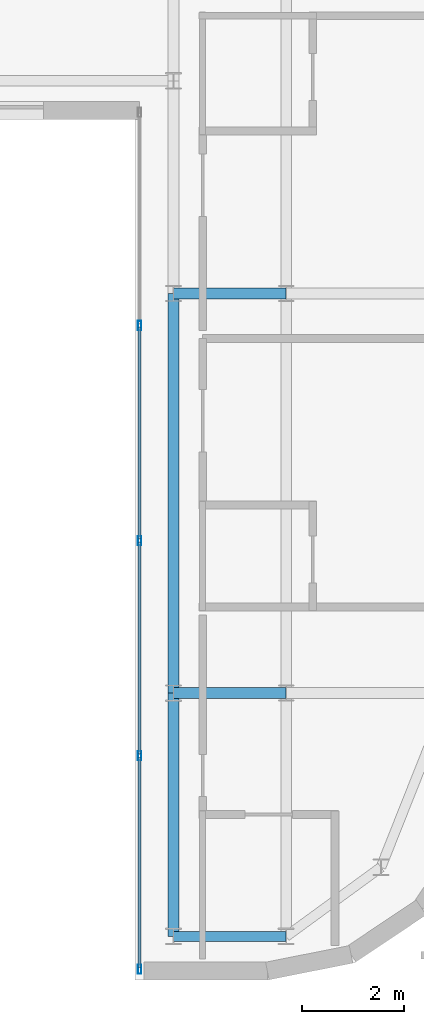
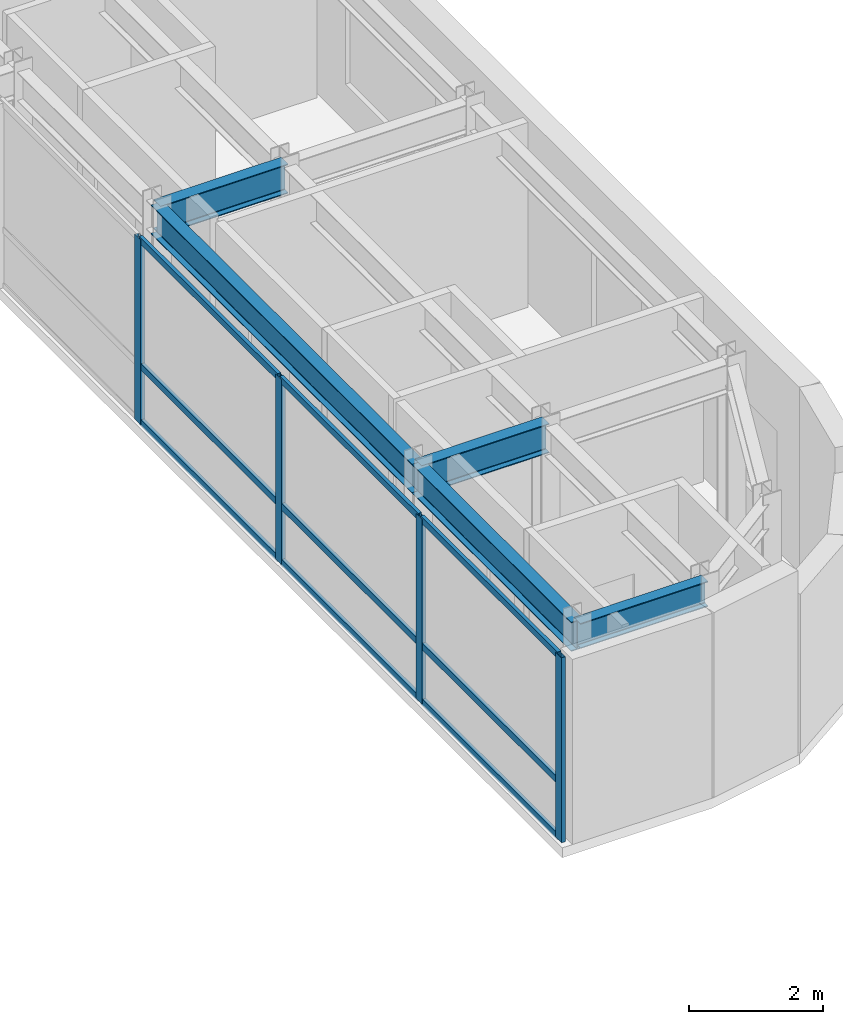
# One storey, part 7 of 18: 13 members, 5 beams, 1 element without a shape of its own.
"""IFC4 building model written with IfcOpenShell, lengths in metres."""

from ifc_helpers import new_model, si_unit, direction, frame, origin, origin_2d, place, context, subcontext, project, spatial, hollow_rectangle, i_section, extrude, source, transform, mapped, material, layer, layer_set, material_profile, profile_set, type_object, type_shapes, element, aggregate, save


model = new_model("IFC4")

# Units and contexts
model_context = context("Model", 3, precision=1e-05, world=origin(), true_north=direction((0.0, 1.0)))
body_context = subcontext(model_context, "Body", "Model", "MODEL_VIEW")
ifc_project = project(units=[si_unit("LENGTHUNIT", "METRE"), si_unit("AREAUNIT", "SQUARE_METRE"), si_unit("VOLUMEUNIT", "CUBIC_METRE"), si_unit("PLANEANGLEUNIT", "RADIAN"), si_unit("MASSUNIT", "GRAM", prefix="KILO")], contexts=[model_context])

# Site, building, storey
site_placement = place(None, origin())
site = spatial("IfcSite", under=ifc_project, at=site_placement, CompositionType="ELEMENT")
building_placement = place(site_placement, origin())
building = spatial("IfcBuilding", under=site, at=building_placement, Name="Tolvann Quenvar Hotel", CompositionType="ELEMENT")
storey_placement = place(building_placement, frame((0.0, 0.0, 259.39990234375)))
storey = spatial("IfcBuildingStorey", under=building, at=storey_placement, Name="L69", CompositionType="ELEMENT", Elevation=259.39990234375)

# Beams
ifc_material_1 = material(Name="Steel Grade 350", Category="steel")
ifc_material_profile_1 = material_profile(ifc_material_1, i_section(OverallWidth=0.208984375, OverallDepth=0.532958984375, WebThickness=0.01025390625, FlangeThickness=0.015625, FilletRadius=0.013916015625, at=origin_2d()), Name="530UB92")
ifc_profile_set_1 = profile_set([ifc_material_profile_1], Name="Steel Grade 350")
beam_type_1 = type_object("IfcBeamType", Name="BM_GIRD_530UB92", PredefinedType="BEAM", material=ifc_profile_set_1)
shared_shape_1 = source(origin(), body_context, "Body", "SweptSolid", [
    extrude(i_section(OverallWidth=0.208984375, OverallDepth=0.532958984375, WebThickness=0.01025390625, FlangeThickness=0.015625, FilletRadius=0.013916015625, at=origin_2d()), origin(), (0.0, 0.0, 1.0), 7.800048828125),
])
beam_1_placement = place(storey_placement, frame((32.75, 8.199951171875, 3.103515625), z_axis=(0.0, 1.0, 0.0), x_axis=(-1.0, 0.0, 0.0)))
element("IfcBeam", 1, at=beam_1_placement, inside=storey, type_object=beam_type_1, Name="BM-L69-NS-FP3-FP4", PredefinedType="BEAM", context=body_context, shape_type="MappedRepresentation", body=[
    mapped(shared_shape_1, transform((0.0, 0.0, 0.0), x_axis=(1.0, 0.0, 0.0), y_axis=(0.0, 1.0, 0.0), z_axis=(0.0, 0.0, 1.0), scale=1.0)),
])
shared_shape_2 = source(origin(), body_context, "Body", "SweptSolid", [
    extrude(i_section(OverallWidth=0.208984375, OverallDepth=0.532958984375, WebThickness=0.01025390625, FlangeThickness=0.015625, FilletRadius=0.013916015625, at=origin_2d()), origin(), (0.0, 0.0, 1.0), 4.75),
])
beam_2_placement = place(storey_placement, frame((32.75, 3.449951171875, 3.103515625), z_axis=(0.0, 1.0, 0.0), x_axis=(-1.0, 0.0, 0.0)))
element("IfcBeam", 2, at=beam_2_placement, inside=storey, type_object=beam_type_1, Name="BM-L69-NS-FP2-FP3", PredefinedType="BEAM", context=body_context, shape_type="MappedRepresentation", body=[
    mapped(shared_shape_2, transform((0.0, 0.0, 0.0), x_axis=(1.0, 0.0, 0.0), y_axis=(0.0, 1.0, 0.0), z_axis=(0.0, 0.0, 1.0), scale=1.0)),
])
ifc_material_profile_2 = material_profile(ifc_material_1, i_section(OverallWidth=0.19091796875, OverallDepth=0.4599609375, WebThickness=0.010009765625, FlangeThickness=0.01611328125, FilletRadius=0.011474609375, at=origin_2d()), Name="460UB82")
ifc_profile_set_2 = profile_set([ifc_material_profile_2], Name="Steel Grade 350")
beam_type_2 = type_object("IfcBeamType", Name="BM_SPAND_460UB82", PredefinedType="SPANDREL", material=ifc_profile_set_2)
shared_shape_3 = source(origin(), body_context, "Body", "SweptSolid", [
    extrude(i_section(OverallWidth=0.19091796875, OverallDepth=0.4599609375, WebThickness=0.010009765625, FlangeThickness=0.01611328125, FilletRadius=0.011474609375, at=origin_2d()), origin(), (0.0, 0.0, 1.0), 2.199951171875),
])
type_shapes(beam_type_2, [shared_shape_3])
beam_3_placement = place(storey_placement, frame((32.75, 3.449951171875, 3.14013671875), z_axis=(1.0, 0.0, 0.0), x_axis=(0.0, 1.0, 0.0)))
element("IfcBeam", 3, at=beam_3_placement, inside=storey, type_object=beam_type_2, Name="BM-L69-EW-2-FP2-F2", PredefinedType="SPANDREL", context=body_context, shape_type="MappedRepresentation", body=[
    mapped(shared_shape_3, transform((0.0, 0.0, 0.0), x_axis=(1.0, 0.0, 0.0), y_axis=(0.0, 1.0, 0.0), z_axis=(0.0, 0.0, 1.0), scale=1.0)),
])
shared_shape_4 = source(origin(), body_context, "Body", "SweptSolid", [
    extrude(i_section(OverallWidth=0.208984375, OverallDepth=0.532958984375, WebThickness=0.01025390625, FlangeThickness=0.015625, FilletRadius=0.013916015625, at=origin_2d()), origin(), (0.0, 0.0, 1.0), 2.199951171875),
])
type_shapes(beam_type_1, [shared_shape_1, shared_shape_2, shared_shape_4])
for number, where, z_axis, x_axis, name in (
    (4, (32.75, 8.199951171875, 3.103515625), (1.0, 0.0, 0.0), (0.0, 1.0, 0.0), "BM-L69-EW-3-FP3-F3"),
    (5, (32.75, 16.0, 3.103515625), (1.0, 0.0, 0.0), (0.0, 1.0, 0.0), "BM-L69-EW-4-FP4-F4"),
):
    element("IfcBeam", number, at=place(storey_placement, frame(where, z_axis=z_axis, x_axis=x_axis)), inside=storey, type_object=beam_type_1, Name=name, PredefinedType="BEAM", context=body_context, shape_type="MappedRepresentation", body=[
        mapped(shared_shape_4, transform((0.0, 0.0, 0.0), x_axis=(1.0, 0.0, 0.0), y_axis=(0.0, 1.0, 0.0), z_axis=(0.0, 0.0, 1.0), scale=1.0)),
    ])

# Curtain wall, members
ifc_material_2 = material(Name="Thermally broken anodised architectural aluminium 6063-T6 and laminated low-E glass", Category="aluminium")
ifc_layer = layer(ifc_material_2, 0.179931640625)
ifc_layer_set = layer_set([ifc_layer], Name="Thermally broken anodised architectural aluminium 6063-T6 and laminated low-E glass")
curtain_wall_type = type_object("IfcCurtainWallType", Name="CW_SYS_PORTAL_05", PredefinedType="USERDEFINED", material=ifc_layer_set)
curtain_wall_placement = place(storey_placement, origin())
curtain_wall = element("IfcCurtainWall", 6, at=curtain_wall_placement, inside=storey, type_object=curtain_wall_type, Name="Curtain Wall CW-PORTAL-05 (CWR-L69-E07)", ObjectType="UNITISED CURTAIN WALL", PredefinedType="USERDEFINED")
ifc_material_3 = material(Name="Anodised architectural aluminium 6063-T6 framing", Category="aluminium")
ifc_material_profile_3 = material_profile(ifc_material_3, hollow_rectangle(XDim=0.070068359375, YDim=0.179931640625, WallThickness=0.00390625, at=origin_2d()), Name="180x70x4RHS")
ifc_profile_set_3 = profile_set([ifc_material_profile_3], Name="Anodised architectural aluminium 6063-T6 framing")
member_type_1 = type_object("IfcMemberType", Name="CW_MULL_180x70", PredefinedType="MULLION", material=ifc_profile_set_3)
shared_shape_5 = source(origin(), body_context, "Body", "SweptSolid", [
    extrude(hollow_rectangle(XDim=0.070068359375, YDim=0.179931640625, WallThickness=0.00390625, at=origin_2d()), origin(), (0.0, 0.0, 1.0), 3.3701171875),
])
type_shapes(member_type_1, [shared_shape_5])
member_1_placement = place(storey_placement, frame((32.090087890625, 15.375, 0.0), z_axis=(0.0, 0.0, 1.0), x_axis=(1.0, 0.0, 0.0)))
member_1 = element("IfcMember", 7, at=member_1_placement, type_object=member_type_1, Name="CW-PORTAL-05 mullion 2", PredefinedType="MULLION", context=body_context, shape_type="MappedRepresentation", body=[
    mapped(shared_shape_5, transform((0.0, 0.0, 0.0), x_axis=(1.0, 0.0, 0.0), y_axis=(0.0, 1.0, 0.0), z_axis=(0.0, 0.0, 1.0), scale=1.0)),
])
member_2_placement = place(storey_placement, frame((32.090087890625, 11.175048828125, 0.0), z_axis=(0.0, 0.0, 1.0), x_axis=(1.0, 0.0, 0.0)))
member_2 = element("IfcMember", 8, at=member_2_placement, type_object=member_type_1, Name="CW-PORTAL-05 mullion 3", PredefinedType="MULLION", context=body_context, shape_type="MappedRepresentation", body=[
    mapped(shared_shape_5, transform((0.0, 0.0, 0.0), x_axis=(1.0, 0.0, 0.0), y_axis=(0.0, 1.0, 0.0), z_axis=(0.0, 0.0, 1.0), scale=1.0)),
])
member_3_placement = place(storey_placement, frame((32.090087890625, 6.97509765625, 0.0), z_axis=(0.0, 0.0, 1.0), x_axis=(1.0, 0.0, 0.0)))
member_3 = element("IfcMember", 9, at=member_3_placement, type_object=member_type_1, Name="CW-PORTAL-05 mullion 4", PredefinedType="MULLION", context=body_context, shape_type="MappedRepresentation", body=[
    mapped(shared_shape_5, transform((0.0, 0.0, 0.0), x_axis=(1.0, 0.0, 0.0), y_axis=(0.0, 1.0, 0.0), z_axis=(0.0, 0.0, 1.0), scale=1.0)),
])
member_4_placement = place(storey_placement, frame((32.090087890625, 2.81005859375, 0.0), z_axis=(0.0, 0.0, 1.0), x_axis=(1.0, 0.0, 0.0)))
member_4 = element("IfcMember", 10, at=member_4_placement, type_object=member_type_1, Name="CW-PORTAL-05 mullion 5", PredefinedType="MULLION", context=body_context, shape_type="MappedRepresentation", body=[
    mapped(shared_shape_5, transform((0.0, 0.0, 0.0), x_axis=(1.0, 0.0, 0.0), y_axis=(0.0, 1.0, 0.0), z_axis=(0.0, 0.0, 1.0), scale=1.0)),
])
ifc_material_profile_4 = material_profile(ifc_material_3, hollow_rectangle(XDim=0.06005859375, YDim=0.1201171875, WallThickness=0.00341796875, at=origin_2d()), Name="120x60x3.5RHS")
ifc_profile_set_4 = profile_set([ifc_material_profile_4], Name="Anodised architectural aluminium 6063-T6 framing")
member_type_2 = type_object("IfcMemberType", Name="CW_TRAN_120x60", PredefinedType="USERDEFINED", material=ifc_profile_set_4)
shared_shape_6 = source(origin(), body_context, "Body", "SweptSolid", [
    extrude(hollow_rectangle(XDim=0.06005859375, YDim=0.1201171875, WallThickness=0.00341796875, at=origin_2d()), origin(), (0.0, 0.0, 1.0), 4.094970703125),
])
member_5_placement = place(storey_placement, frame((32.090087890625, 6.93994140625, 0.030029296875), z_axis=(0.0, -1.0, 0.0), x_axis=(1.0, 0.0, 0.0)))
member_5 = element("IfcMember", 11, at=member_5_placement, type_object=member_type_2, Name="CW-PORTAL-05 transom 4.1", ObjectType="TRANSOM", PredefinedType="USERDEFINED", context=body_context, shape_type="MappedRepresentation", body=[
    mapped(shared_shape_6, transform((0.0, 0.0, 0.0), x_axis=(1.0, 0.0, 0.0), y_axis=(0.0, 1.0, 0.0), z_axis=(0.0, 0.0, 1.0), scale=1.0)),
])
member_6_placement = place(storey_placement, frame((32.090087890625, 6.93994140625, 1.050048828125), z_axis=(0.0, -1.0, 0.0), x_axis=(1.0, 0.0, 0.0)))
member_6 = element("IfcMember", 12, at=member_6_placement, type_object=member_type_2, Name="CW-PORTAL-05 transom 4.2", ObjectType="TRANSOM", PredefinedType="USERDEFINED", context=body_context, shape_type="MappedRepresentation", body=[
    mapped(shared_shape_6, transform((0.0, 0.0, 0.0), x_axis=(1.0, 0.0, 0.0), y_axis=(0.0, 1.0, 0.0), z_axis=(0.0, 0.0, 1.0), scale=1.0)),
])
member_7_placement = place(storey_placement, frame((32.090087890625, 6.93994140625, 3.340087890625), z_axis=(0.0, -1.0, 0.0), x_axis=(1.0, 0.0, 0.0)))
member_7 = element("IfcMember", 13, at=member_7_placement, type_object=member_type_2, Name="CW-PORTAL-05 transom 4.3", ObjectType="TRANSOM", PredefinedType="USERDEFINED", context=body_context, shape_type="MappedRepresentation", body=[
    mapped(shared_shape_6, transform((0.0, 0.0, 0.0), x_axis=(1.0, 0.0, 0.0), y_axis=(0.0, 1.0, 0.0), z_axis=(0.0, 0.0, 1.0), scale=1.0)),
])
shared_shape_7 = source(origin(), body_context, "Body", "SweptSolid", [
    extrude(hollow_rectangle(XDim=0.06005859375, YDim=0.1201171875, WallThickness=0.00341796875, at=origin_2d()), origin(), (0.0, 0.0, 1.0), 4.130126953125),
])
member_8_placement = place(storey_placement, frame((32.090087890625, 15.340087890625, 0.030029296875), z_axis=(0.0, -1.0, 0.0), x_axis=(1.0, 0.0, 0.0)))
member_8 = element("IfcMember", 14, at=member_8_placement, type_object=member_type_2, Name="CW-PORTAL-05 transom 2.1", ObjectType="TRANSOM", PredefinedType="USERDEFINED", context=body_context, shape_type="MappedRepresentation", body=[
    mapped(shared_shape_7, transform((0.0, 0.0, 0.0), x_axis=(1.0, 0.0, 0.0), y_axis=(0.0, 1.0, 0.0), z_axis=(0.0, 0.0, 1.0), scale=1.0)),
])
member_9_placement = place(storey_placement, frame((32.090087890625, 15.340087890625, 1.050048828125), z_axis=(0.0, -1.0, 0.0), x_axis=(1.0, 0.0, 0.0)))
member_9 = element("IfcMember", 15, at=member_9_placement, type_object=member_type_2, Name="CW-PORTAL-05 transom 2.2", ObjectType="TRANSOM", PredefinedType="USERDEFINED", context=body_context, shape_type="MappedRepresentation", body=[
    mapped(shared_shape_7, transform((0.0, 0.0, 0.0), x_axis=(1.0, 0.0, 0.0), y_axis=(0.0, 1.0, 0.0), z_axis=(0.0, 0.0, 1.0), scale=1.0)),
])
member_10_placement = place(storey_placement, frame((32.090087890625, 15.340087890625, 3.340087890625), z_axis=(0.0, -1.0, 0.0), x_axis=(1.0, 0.0, 0.0)))
member_10 = element("IfcMember", 16, at=member_10_placement, type_object=member_type_2, Name="CW-PORTAL-05 transom 2.3", ObjectType="TRANSOM", PredefinedType="USERDEFINED", context=body_context, shape_type="MappedRepresentation", body=[
    mapped(shared_shape_7, transform((0.0, 0.0, 0.0), x_axis=(1.0, 0.0, 0.0), y_axis=(0.0, 1.0, 0.0), z_axis=(0.0, 0.0, 1.0), scale=1.0)),
])
shared_shape_8 = source(origin(), body_context, "Body", "SweptSolid", [
    extrude(hollow_rectangle(XDim=0.06005859375, YDim=0.1201171875, WallThickness=0.00341796875, at=origin_2d()), origin(), (0.0, 0.0, 1.0), 4.1298828125),
])
type_shapes(member_type_2, [shared_shape_6, shared_shape_7, shared_shape_8])
member_11_placement = place(storey_placement, frame((32.090087890625, 11.139892578125, 0.030029296875), z_axis=(0.0, -1.0, 0.0), x_axis=(1.0, 0.0, 0.0)))
member_11 = element("IfcMember", 17, at=member_11_placement, type_object=member_type_2, Name="CW-PORTAL-05 transom 3.1", ObjectType="TRANSOM", PredefinedType="USERDEFINED", context=body_context, shape_type="MappedRepresentation", body=[
    mapped(shared_shape_8, transform((0.0, 0.0, 0.0), x_axis=(1.0, 0.0, 0.0), y_axis=(0.0, 1.0, 0.0), z_axis=(0.0, 0.0, 1.0), scale=1.0)),
])
member_12_placement = place(storey_placement, frame((32.090087890625, 11.139892578125, 1.050048828125), z_axis=(0.0, -1.0, 0.0), x_axis=(1.0, 0.0, 0.0)))
member_12 = element("IfcMember", 18, at=member_12_placement, type_object=member_type_2, Name="CW-PORTAL-05 transom 3.2", ObjectType="TRANSOM", PredefinedType="USERDEFINED", context=body_context, shape_type="MappedRepresentation", body=[
    mapped(shared_shape_8, transform((0.0, 0.0, 0.0), x_axis=(1.0, 0.0, 0.0), y_axis=(0.0, 1.0, 0.0), z_axis=(0.0, 0.0, 1.0), scale=1.0)),
])
member_13_placement = place(storey_placement, frame((32.090087890625, 11.139892578125, 3.340087890625), z_axis=(0.0, -1.0, 0.0), x_axis=(1.0, 0.0, 0.0)))
member_13 = element("IfcMember", 19, at=member_13_placement, type_object=member_type_2, Name="CW-PORTAL-05 transom 3.3", ObjectType="TRANSOM", PredefinedType="USERDEFINED", context=body_context, shape_type="MappedRepresentation", body=[
    mapped(shared_shape_8, transform((0.0, 0.0, 0.0), x_axis=(1.0, 0.0, 0.0), y_axis=(0.0, 1.0, 0.0), z_axis=(0.0, 0.0, 1.0), scale=1.0)),
])
aggregate(curtain_wall, [member_1, member_2, member_3, member_4, member_8, member_9, member_10, member_11, member_12, member_13, member_5, member_6, member_7])

save(model, "model.ifc")
